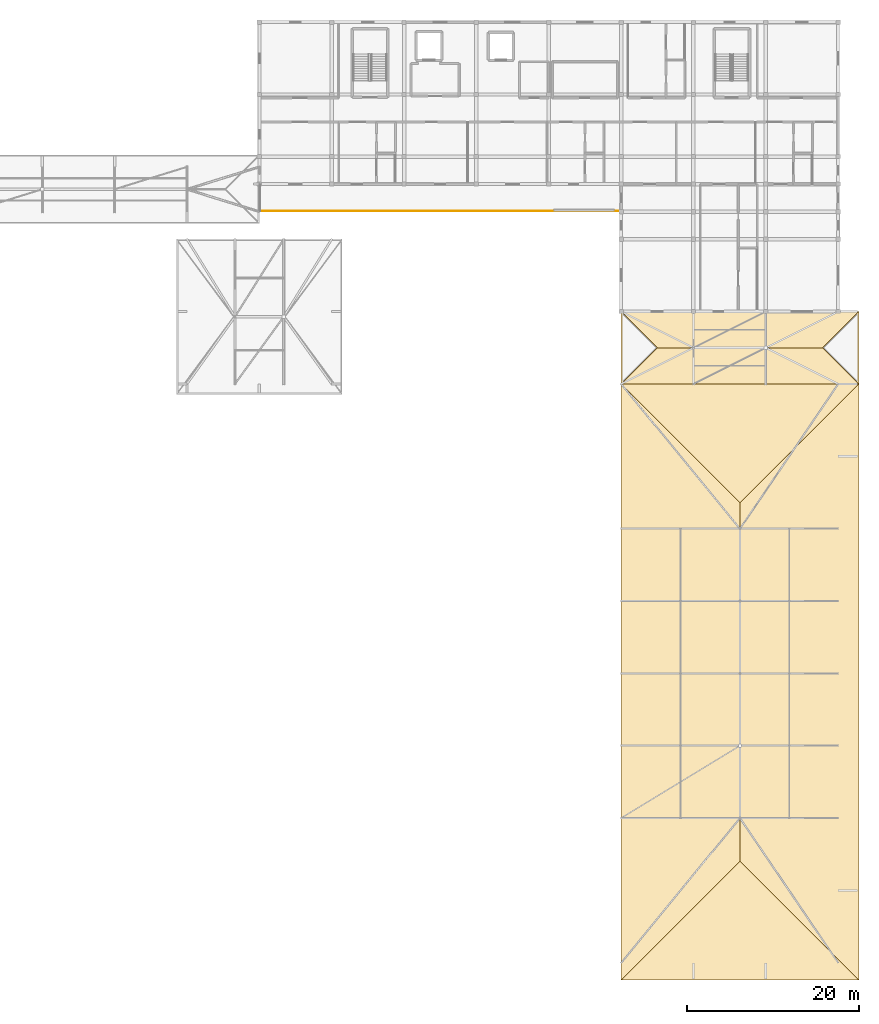
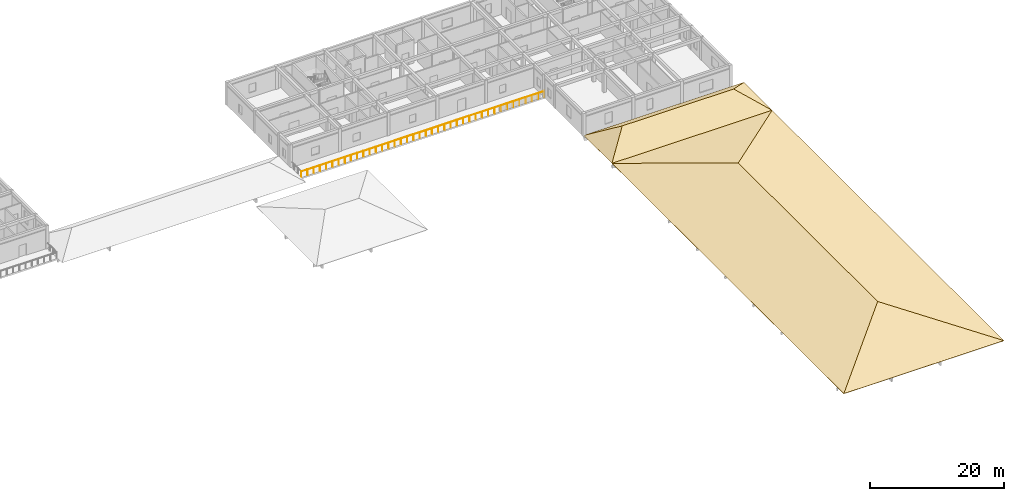
# One storey, part 25 of 26: 8 coverings, 1 railing, 2 elements without a shape of their own.
"""IFC4 building model written with IfcOpenShell, lengths in metres."""

from ifc_helpers import new_model, si_unit, direction, frame, origin, origin_2d, place, context, subcontext, project, spatial, polyline, circle, outline, extrude, material, layer, layer_set, type_object, element, aggregate, save


model = new_model("IFC4")

# Units and contexts
model_context = context("Model", 3, precision=1e-05, world=origin(), true_north=direction((0.0, 1.0)))
body_context = subcontext(model_context, "Body", "Model", "MODEL_VIEW")
ifc_project = project(units=[si_unit("LENGTHUNIT", "METRE"), si_unit("AREAUNIT", "SQUARE_METRE"), si_unit("VOLUMEUNIT", "CUBIC_METRE"), si_unit("PLANEANGLEUNIT", "RADIAN"), si_unit("MASSUNIT", "GRAM", prefix="KILO")], contexts=[model_context])

# Site, building, storey
site_placement = place(None, origin())
site = spatial("IfcSite", under=ifc_project, at=site_placement, CompositionType="ELEMENT")
building_placement = place(site_placement, origin())
building = spatial("IfcBuilding", under=site, at=building_placement, Name="Varncliffe General Hospital", CompositionType="ELEMENT")
storey_placement = place(building_placement, frame((0.0, 0.0, 28.800048828125)))
storey = spatial("IfcBuildingStorey", under=building, at=storey_placement, Name="L06", CompositionType="ELEMENT", Elevation=28.800048828125)

# Railing
ifc_material_1 = material(Name="Powder-coated wrought-iron and bronze balustrade", Category="steel")
railing_type = type_object("IfcRailingType", Name="Spanish Colonial Wrought-Iron Terrace Balustrade BL44", PredefinedType="BALUSTRADE", material=ifc_material_1)
railing_placement = place(storey_placement, frame((109.260009765625, 102.860107421875, 0.0)))
element("IfcRailing", 1, at=railing_placement, inside=storey, type_object=railing_type, Name="L06 East Step-2 Healing Roof Terrace Balustrade 10", PredefinedType="BALUSTRADE", context=body_context, shape_type="SweptSolid", body=[
    extrude(circle(Radius=0.02392578125, at=origin_2d()), frame((0.0, 0.0, 1.076171875), z_axis=(1.0, 0.0, 0.0), x_axis=(0.0, 1.0, 0.0)), (0.0, 0.0, 1.0), 41.860107421875),
    extrude(circle(Radius=0.02099609375, at=origin_2d()), origin(), (0.0, 0.0, 1.0), 1.052001953125),
    extrude(circle(Radius=0.02099609375, at=origin_2d()), frame((1.0732421875, 0.0, 0.0)), (0.0, 0.0, 1.0), 1.052001953125),
    extrude(circle(Radius=0.02099609375, at=origin_2d()), frame((2.146728515625, 0.0, 0.0)), (0.0, 0.0, 1.0), 1.052001953125),
    extrude(circle(Radius=0.02099609375, at=origin_2d()), frame((3.219970703125, 0.0, 0.0)), (0.0, 0.0, 1.0), 1.052001953125),
    extrude(circle(Radius=0.02099609375, at=origin_2d()), frame((4.29345703125, 0.0, 0.0)), (0.0, 0.0, 1.0), 1.052001953125),
    extrude(circle(Radius=0.02099609375, at=origin_2d()), frame((5.36669921875, 0.0, 0.0)), (0.0, 0.0, 1.0), 1.052001953125),
    extrude(circle(Radius=0.02099609375, at=origin_2d()), frame((6.43994140625, 0.0, 0.0)), (0.0, 0.0, 1.0), 1.052001953125),
    extrude(circle(Radius=0.02099609375, at=origin_2d()), frame((7.513427734375, 0.0, 0.0)), (0.0, 0.0, 1.0), 1.052001953125),
    extrude(circle(Radius=0.02099609375, at=origin_2d()), frame((8.586669921875, 0.0, 0.0)), (0.0, 0.0, 1.0), 1.052001953125),
    extrude(circle(Radius=0.02099609375, at=origin_2d()), frame((9.659912109375, 0.0, 0.0)), (0.0, 0.0, 1.0), 1.052001953125),
    extrude(circle(Radius=0.02099609375, at=origin_2d()), frame((10.7333984375, 0.0, 0.0)), (0.0, 0.0, 1.0), 1.052001953125),
    extrude(circle(Radius=0.02099609375, at=origin_2d()), frame((11.806640625, 0.0, 0.0)), (0.0, 0.0, 1.0), 1.052001953125),
    extrude(circle(Radius=0.02099609375, at=origin_2d()), frame((12.880126953125, 0.0, 0.0)), (0.0, 0.0, 1.0), 1.052001953125),
    extrude(circle(Radius=0.02099609375, at=origin_2d()), frame((13.953369140625, 0.0, 0.0)), (0.0, 0.0, 1.0), 1.052001953125),
    extrude(circle(Radius=0.02099609375, at=origin_2d()), frame((15.026611328125, 0.0, 0.0)), (0.0, 0.0, 1.0), 1.052001953125),
    extrude(circle(Radius=0.02099609375, at=origin_2d()), frame((16.10009765625, 0.0, 0.0)), (0.0, 0.0, 1.0), 1.052001953125),
    extrude(circle(Radius=0.02099609375, at=origin_2d()), frame((17.17333984375, 0.0, 0.0)), (0.0, 0.0, 1.0), 1.052001953125),
    extrude(circle(Radius=0.02099609375, at=origin_2d()), frame((18.246826171875, 0.0, 0.0)), (0.0, 0.0, 1.0), 1.052001953125),
    extrude(circle(Radius=0.02099609375, at=origin_2d()), frame((19.320068359375, 0.0, 0.0)), (0.0, 0.0, 1.0), 1.052001953125),
    extrude(circle(Radius=0.02099609375, at=origin_2d()), frame((20.393310546875, 0.0, 0.0)), (0.0, 0.0, 1.0), 1.052001953125),
    extrude(circle(Radius=0.02099609375, at=origin_2d()), frame((21.466796875, 0.0, 0.0)), (0.0, 0.0, 1.0), 1.052001953125),
    extrude(circle(Radius=0.02099609375, at=origin_2d()), frame((22.5400390625, 0.0, 0.0)), (0.0, 0.0, 1.0), 1.052001953125),
    extrude(circle(Radius=0.02099609375, at=origin_2d()), frame((23.61328125, 0.0, 0.0)), (0.0, 0.0, 1.0), 1.052001953125),
    extrude(circle(Radius=0.02099609375, at=origin_2d()), frame((24.686767578125, 0.0, 0.0)), (0.0, 0.0, 1.0), 1.052001953125),
    extrude(circle(Radius=0.02099609375, at=origin_2d()), frame((25.760009765625, 0.0, 0.0)), (0.0, 0.0, 1.0), 1.052001953125),
    extrude(circle(Radius=0.02099609375, at=origin_2d()), frame((26.83349609375, 0.0, 0.0)), (0.0, 0.0, 1.0), 1.052001953125),
    extrude(circle(Radius=0.02099609375, at=origin_2d()), frame((27.90673828125, 0.0, 0.0)), (0.0, 0.0, 1.0), 1.052001953125),
    extrude(circle(Radius=0.02099609375, at=origin_2d()), frame((28.97998046875, 0.0, 0.0)), (0.0, 0.0, 1.0), 1.052001953125),
    extrude(circle(Radius=0.02099609375, at=origin_2d()), frame((30.053466796875, 0.0, 0.0)), (0.0, 0.0, 1.0), 1.052001953125),
    extrude(circle(Radius=0.02099609375, at=origin_2d()), frame((31.126708984375, 0.0, 0.0)), (0.0, 0.0, 1.0), 1.052001953125),
    extrude(circle(Radius=0.02099609375, at=origin_2d()), frame((32.2001953125, 0.0, 0.0)), (0.0, 0.0, 1.0), 1.052001953125),
    extrude(circle(Radius=0.02099609375, at=origin_2d()), frame((33.2734375, 0.0, 0.0)), (0.0, 0.0, 1.0), 1.052001953125),
    extrude(circle(Radius=0.02099609375, at=origin_2d()), frame((34.3466796875, 0.0, 0.0)), (0.0, 0.0, 1.0), 1.052001953125),
    extrude(circle(Radius=0.02099609375, at=origin_2d()), frame((35.420166015625, 0.0, 0.0)), (0.0, 0.0, 1.0), 1.052001953125),
    extrude(circle(Radius=0.02099609375, at=origin_2d()), frame((36.493408203125, 0.0, 0.0)), (0.0, 0.0, 1.0), 1.052001953125),
    extrude(circle(Radius=0.02099609375, at=origin_2d()), frame((37.566650390625, 0.0, 0.0)), (0.0, 0.0, 1.0), 1.052001953125),
    extrude(circle(Radius=0.02099609375, at=origin_2d()), frame((38.64013671875, 0.0, 0.0)), (0.0, 0.0, 1.0), 1.052001953125),
    extrude(circle(Radius=0.02099609375, at=origin_2d()), frame((39.71337890625, 0.0, 0.0)), (0.0, 0.0, 1.0), 1.052001953125),
    extrude(circle(Radius=0.02099609375, at=origin_2d()), frame((40.786865234375, 0.0, 0.0)), (0.0, 0.0, 1.0), 1.052001953125),
    extrude(circle(Radius=0.02099609375, at=origin_2d()), frame((41.860107421875, 0.0, 0.0)), (0.0, 0.0, 1.0), 1.052001953125),
])

# Roof, coverings
ifc_material_2 = material(Name="Terracotta clay roof tile over waterproof membrane", Category="masonry")
roof_type = type_object("IfcRoofType", Name="Hipped Clay-Tile Roof Assembly HR20", PredefinedType="HIP_ROOF", material=ifc_material_2)
roof_1_placement = place(storey_placement, origin())
roof_1 = element("IfcRoof", 2, at=roof_1_placement, inside=storey, type_object=roof_type, Name="L06 Hipped Roof RF-V5-E", PredefinedType="HIP_ROOF")
ifc_layer = layer(ifc_material_2, 0.044921875)
ifc_layer_set = layer_set([ifc_layer], Name="Terracotta clay roof tile over waterproof membrane")
covering_type = type_object("IfcCoveringType", Name="Terracotta Clay Tile Roofing RFG24", PredefinedType="ROOFING", material=ifc_layer_set)
covering_1_placement = place(storey_placement, frame((151.199951171875, 82.800048828125, 0.044921875), z_axis=(-0.252427471975, 0.0, 0.967615818077), x_axis=(0.0, -1.0, 0.0)))
covering_1 = element("IfcCovering", 3, at=covering_1_placement, type_object=covering_type, Name="L06 RF-V5-E Terracotta Clay Tile Slope W", PredefinedType="ROOFING", context=body_context, shape_type="SweptSolid", body=[
    extrude(outline(polyline([(0.0, 0.0), (69.199951171875, 0.0), (55.400146484375, 14.26190908655538), (13.800048828125, 14.26190908655538), (0.0, 0.0)])), origin(), (0.0, 0.0, -1.0), 0.044921875),
])
covering_2_placement = place(storey_placement, frame((178.800048828125, 13.60009765625, 0.044921875), z_axis=(0.252427471975, 0.0, 0.967615818077), x_axis=(0.0, 1.0, 0.0)))
covering_2 = element("IfcCovering", 4, at=covering_2_placement, type_object=covering_type, Name="L06 RF-V5-E Terracotta Clay Tile Slope E", PredefinedType="ROOFING", context=body_context, shape_type="SweptSolid", body=[
    extrude(outline(polyline([(0.0, 0.0), (69.199951171875, 0.0), (55.39990234375, 14.26190908655538), (13.7998046875, 14.26190908655538), (0.0, 0.0)])), origin(), (0.0, 0.0, -1.0), 0.044921875),
])
covering_3_placement = place(storey_placement, frame((151.199951171875, 13.60009765625, 0.044921875), z_axis=(0.0, -0.252431653251, 0.967614727274), x_axis=(1.0, 0.0, 0.0)))
covering_3 = element("IfcCovering", 5, at=covering_3_placement, type_object=covering_type, Name="L06 RF-V5-E Terracotta Clay Tile Slope S", PredefinedType="ROOFING", context=body_context, shape_type="SweptSolid", body=[
    extrude(outline(polyline([(0.0, 0.0), (27.60009765625, 0.0), (13.800048828125, 14.261672852357949), (0.0, 0.0)])), origin(), (0.0, 0.0, -1.0), 0.044921875),
])
covering_4_placement = place(storey_placement, frame((178.800048828125, 82.800048828125, 0.044921875), z_axis=(0.0, 0.252427471975, 0.967615818077), x_axis=(-1.0, 0.0, 0.0)))
covering_4 = element("IfcCovering", 6, at=covering_4_placement, type_object=covering_type, Name="L06 RF-V5-E Terracotta Clay Tile Slope N", PredefinedType="ROOFING", context=body_context, shape_type="SweptSolid", body=[
    extrude(outline(polyline([(0.0, 0.0), (27.60009765625, 0.0), (13.800048828125, 14.26190908655538), (0.0, 0.0)])), origin(), (0.0, 0.0, -1.0), 0.044921875),
])
aggregate(roof_1, [covering_1, covering_2, covering_3, covering_4])

roof_2_placement = place(storey_placement, origin())
roof_2 = element("IfcRoof", 7, at=roof_2_placement, inside=storey, type_object=roof_type, Name="L06 Hipped Roof RF-V6-SE1", PredefinedType="HIP_ROOF")
covering_5_placement = place(storey_placement, frame((151.199951171875, 82.800048828125, 0.044921875), z_axis=(0.0, -0.554711357594, 0.832042853317), x_axis=(1.0, 0.0, 0.0)))
covering_5 = element("IfcCovering", 8, at=covering_5_placement, type_object=covering_type, Name="L06 RF-V6-SE1 Terracotta Clay Tile Slope S", PredefinedType="ROOFING", context=body_context, shape_type="SweptSolid", body=[
    extrude(outline(polyline([(0.0, 0.0), (27.60009765625, 0.0), (23.400146484375, 5.0477582436184845), (4.199951171875, 5.0477582436184845), (0.0, 0.0)])), origin(), (0.0, 0.0, -1.0), 0.044921875),
])
covering_6_placement = place(storey_placement, frame((178.800048828125, 91.199951171875, 0.044921875), z_axis=(0.0, 0.554711357594, 0.832042853317), x_axis=(-1.0, 0.0, 0.0)))
covering_6 = element("IfcCovering", 9, at=covering_6_placement, type_object=covering_type, Name="L06 RF-V6-SE1 Terracotta Clay Tile Slope N", PredefinedType="ROOFING", context=body_context, shape_type="SweptSolid", body=[
    extrude(outline(polyline([(0.0, 0.0), (27.60009765625, 0.0), (23.400146484375, 5.0477582436184845), (4.199951171875, 5.0477582436184845), (0.0, 0.0)])), origin(), (0.0, 0.0, -1.0), 0.044921875),
])
covering_7_placement = place(storey_placement, frame((151.199951171875, 91.199951171875, 0.044921875), z_axis=(-0.554711357594, 0.0, 0.832042853317), x_axis=(0.0, -1.0, 0.0)))
covering_7 = element("IfcCovering", 10, at=covering_7_placement, type_object=covering_type, Name="L06 RF-V6-SE1 Terracotta Clay Tile Slope W", PredefinedType="ROOFING", context=body_context, shape_type="SweptSolid", body=[
    extrude(outline(polyline([(0.0, 0.0), (8.39990234375, 0.0), (4.199951171875, 5.0477582436184845), (0.0, 0.0)])), origin(), (0.0, 0.0, -1.0), 0.044921875),
])
covering_8_placement = place(storey_placement, frame((178.800048828125, 82.800048828125, 0.044921875), z_axis=(0.554711357594, 0.0, 0.832042853317), x_axis=(0.0, 1.0, 0.0)))
covering_8 = element("IfcCovering", 11, at=covering_8_placement, type_object=covering_type, Name="L06 RF-V6-SE1 Terracotta Clay Tile Slope E", PredefinedType="ROOFING", context=body_context, shape_type="SweptSolid", body=[
    extrude(outline(polyline([(0.0, 0.0), (8.39990234375, 0.0), (4.199951171875, 5.0477582436184845), (0.0, 0.0)])), origin(), (0.0, 0.0, -1.0), 0.044921875),
])
aggregate(roof_2, [covering_5, covering_6, covering_7, covering_8])

save(model, "model.ifc")
